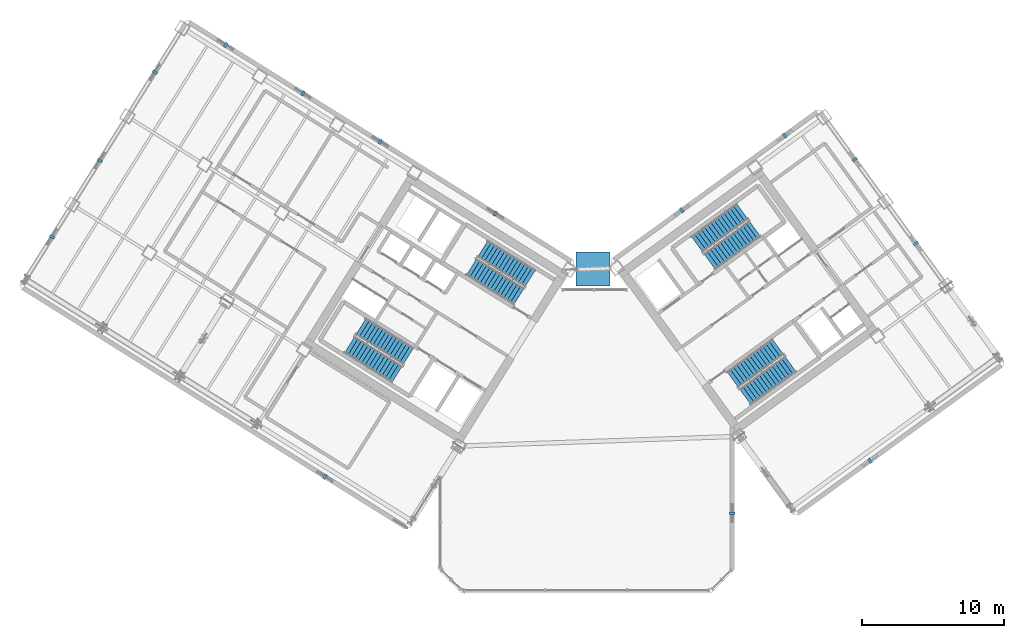
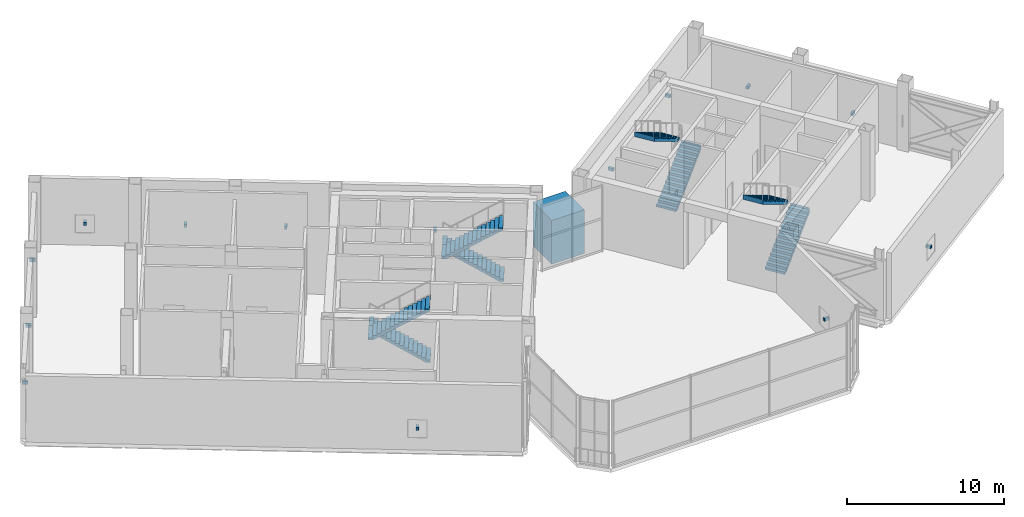
# One storey, part 24 of 30: 15 discrete accessories, 8 stair flights, 4 elements without a shape of their own.
"""IFC4 building model written with IfcOpenShell, lengths in metres."""

from ifc_helpers import new_model, si_unit, direction, frame, origin, origin_2d, place, context, subcontext, project, spatial, polyline, rectangle, outline, extrude, source, transform, mapped, material, type_object, element, aggregate, save


model = new_model("IFC4")

# Units and contexts
model_context = context("Model", 3, precision=1e-05, world=origin(), true_north=direction((0.0, 1.0)))
body_context = subcontext(model_context, "Body", "Model", "MODEL_VIEW")
ifc_project = project(units=[si_unit("LENGTHUNIT", "METRE"), si_unit("AREAUNIT", "SQUARE_METRE"), si_unit("VOLUMEUNIT", "CUBIC_METRE"), si_unit("PLANEANGLEUNIT", "RADIAN"), si_unit("MASSUNIT", "GRAM", prefix="KILO")], contexts=[model_context])

# Site, building, storey
site_placement = place(None, origin())
site = spatial("IfcSite", under=ifc_project, at=site_placement, CompositionType="ELEMENT")
building_placement = place(site_placement, origin())
building = spatial("IfcBuilding", under=site, at=building_placement, Name="Tlacorven Tower", CompositionType="ELEMENT")
storey_placement = place(building_placement, frame((0.0, 0.0, 169.5)))
storey = spatial("IfcBuildingStorey", under=building, at=storey_placement, Name="L43", CompositionType="ELEMENT", Elevation=169.5)

# Stair, stair flights
ifc_material_1 = material(Name="Concrete C40/50", Category="concrete")
stair_type = type_object("IfcStairType", Name="ST-CORE-DLG", PredefinedType="HALF_TURN_STAIR", material=ifc_material_1)
stair_1_placement = place(storey_placement, origin())
stair_1 = element("IfcStair", 1, at=stair_1_placement, inside=storey, type_object=stair_type, Name="L43 Protected Exit Stair West 1", PredefinedType="HALF_TURN_STAIR")
stair_flight_type = type_object("IfcStairFlightType", Name="SFL-RC-1380", PredefinedType="STRAIGHT", material=ifc_material_1)
shared_shape_1 = source(origin(), body_context, "Body", "SweptSolid", [
    extrude(outline(polyline([(-0.0029296875, -0.0029296875), (-0.0029296875, 0.179931640625), (0.280029296875, 0.179931640625), (0.280029296875, 0.360107421875), (0.56005859375, 0.360107421875), (0.56005859375, 0.5400390625), (0.840087890625, 0.5400390625), (0.840087890625, 0.719970703125), (1.1201171875, 0.719970703125), (1.1201171875, 0.89990234375), (1.39990234375, 0.89990234375), (1.39990234375, 1.080078125), (1.679931640625, 1.080078125), (1.679931640625, 1.260009765625), (1.9599609375, 1.260009765625), (1.9599609375, 1.43994140625), (2.239990234375, 1.43994140625), (2.239990234375, 1.6201171875), (2.52001953125, 1.6201171875), (2.52001953125, 1.800048828125), (2.800048828125, 1.800048828125), (2.800048828125, 1.97998046875), (3.080078125, 1.97998046875), (3.080078125, 2.159912109375), (3.360107421875, 2.159912109375), (3.360107421875, 2.340087890625), (3.639892578125, 2.340087890625), (3.639892578125, 2.52001953125), (3.919921875, 2.52001953125), (3.919921875, 2.699951171875), (3.923095703125, 2.699951171875), (3.923095703125, 2.329833984375), (3.919921875, 2.329833984375), (0.295654296875, 0.0), (0.295654296875, -0.0029296875), (-0.0029296875, -0.0029296875)])), frame((0.0, 0.68994140625, 0.0), z_axis=(0.0, -1.0, 0.0), x_axis=(1.0, 0.0, 0.0)), (0.0, 0.0, 1.0), 1.3798828125),
])
stair_flight_1_placement = place(storey_placement, frame((29.499755859375, 18.39453125, 0.0), z_axis=(0.0, 0.0, 1.0), x_axis=(-0.848048096156, 0.529919264233, 0.0)))
stair_flight_1 = element("IfcStairFlight", 2, at=stair_flight_1_placement, type_object=stair_flight_type, Name="ST-W1 flight 1", NumberOfRisers=15, NumberOfTreads=14, PredefinedType="STRAIGHT", RiserHeight=0.18, TreadLength=0.28, context=body_context, shape_type="MappedRepresentation", body=[
    mapped(shared_shape_1, transform((0.0, 0.0, 0.0), scale=1.0)),
])
stair_flight_2_placement = place(storey_placement, frame((25.380615234375, 19.19970703125, 2.699951171875), z_axis=(0.0, 0.0, 1.0), x_axis=(0.848048096156, -0.529919264233, 0.0)))
stair_flight_2 = element("IfcStairFlight", 3, at=stair_flight_2_placement, type_object=stair_flight_type, Name="ST-W1 flight 2", NumberOfRisers=15, NumberOfTreads=14, PredefinedType="STRAIGHT", RiserHeight=0.18, TreadLength=0.28, context=body_context, shape_type="MappedRepresentation", body=[
    mapped(shared_shape_1, transform((0.0, 0.0, 0.0), scale=1.0)),
])
aggregate(stair_1, [stair_flight_1, stair_flight_2])

stair_2_placement = place(storey_placement, origin())
stair_2 = element("IfcStair", 4, at=stair_2_placement, inside=storey, type_object=stair_type, Name="L43 Protected Exit Stair West 2", PredefinedType="HALF_TURN_STAIR")
stair_flight_3_placement = place(storey_placement, frame((38.051513671875, 23.852294921875, 0.0), z_axis=(0.0, 0.0, 1.0), x_axis=(-0.848048096156, 0.529919264233, 0.0)))
stair_flight_3 = element("IfcStairFlight", 5, at=stair_flight_3_placement, type_object=stair_flight_type, Name="ST-W2 flight 1", NumberOfRisers=15, NumberOfTreads=14, PredefinedType="STRAIGHT", RiserHeight=0.18, TreadLength=0.28, context=body_context, shape_type="MappedRepresentation", body=[
    mapped(shared_shape_1, transform((0.0, 0.0, 0.0), scale=1.0)),
])
stair_flight_4_placement = place(storey_placement, frame((33.93212890625, 24.657470703125, 2.699951171875), z_axis=(0.0, 0.0, 1.0), x_axis=(0.848048096156, -0.529919264233, 0.0)))
stair_flight_4 = element("IfcStairFlight", 6, at=stair_flight_4_placement, type_object=stair_flight_type, Name="ST-W2 flight 2", NumberOfRisers=15, NumberOfTreads=14, PredefinedType="STRAIGHT", RiserHeight=0.18, TreadLength=0.28, context=body_context, shape_type="MappedRepresentation", body=[
    mapped(shared_shape_1, transform((0.0, 0.0, 0.0), scale=1.0)),
])
aggregate(stair_2, [stair_flight_3, stair_flight_4])

stair_3_placement = place(storey_placement, origin())
stair_3 = element("IfcStair", 7, at=stair_3_placement, inside=storey, type_object=stair_type, Name="L43 Protected Exit Stair East 1", PredefinedType="HALF_TURN_STAIR")
stair_flight_5_placement = place(storey_placement, frame((50.6533203125, 25.0400390625, 0.0), z_axis=(0.0, 0.0, 1.0), x_axis=(0.809016994375, 0.587785252292, 0.0)))
stair_flight_5 = element("IfcStairFlight", 8, at=stair_flight_5_placement, type_object=stair_flight_type, Name="ST-E1 flight 1", NumberOfRisers=15, NumberOfTreads=14, PredefinedType="STRAIGHT", RiserHeight=0.18, TreadLength=0.28, context=body_context, shape_type="MappedRepresentation", body=[
    mapped(shared_shape_1, transform((0.0, 0.0, 0.0), scale=1.0)),
])
stair_flight_6_placement = place(storey_placement, frame((52.943115234375, 28.5576171875, 2.699951171875), z_axis=(0.0, 0.0, 1.0), x_axis=(-0.809016994375, -0.587785252292, 0.0)))
stair_flight_6 = element("IfcStairFlight", 9, at=stair_flight_6_placement, type_object=stair_flight_type, Name="ST-E1 flight 2", NumberOfRisers=15, NumberOfTreads=14, PredefinedType="STRAIGHT", RiserHeight=0.18, TreadLength=0.28, context=body_context, shape_type="MappedRepresentation", body=[
    mapped(shared_shape_1, transform((0.0, 0.0, 0.0), scale=1.0)),
])
aggregate(stair_3, [stair_flight_5, stair_flight_6])

stair_4_placement = place(storey_placement, origin())
stair_4 = element("IfcStair", 10, at=stair_4_placement, inside=storey, type_object=stair_type, Name="L43 Protected Exit Stair East 2", PredefinedType="HALF_TURN_STAIR")
stair_flight_7_placement = place(storey_placement, frame((53.157470703125, 15.536865234375, 0.0), z_axis=(0.0, 0.0, 1.0), x_axis=(0.809016994375, 0.587785252292, 0.0)))
stair_flight_7 = element("IfcStairFlight", 11, at=stair_flight_7_placement, type_object=stair_flight_type, Name="ST-E2 flight 1", NumberOfRisers=15, NumberOfTreads=14, PredefinedType="STRAIGHT", RiserHeight=0.18, TreadLength=0.28, context=body_context, shape_type="MappedRepresentation", body=[
    mapped(shared_shape_1, transform((0.0, 0.0, 0.0), scale=1.0)),
])
stair_flight_8_placement = place(storey_placement, frame((55.447021484375, 19.054443359375, 2.699951171875), z_axis=(0.0, 0.0, 1.0), x_axis=(-0.809016994375, -0.587785252292, 0.0)))
stair_flight_8 = element("IfcStairFlight", 12, at=stair_flight_8_placement, type_object=stair_flight_type, Name="ST-E2 flight 2", NumberOfRisers=15, NumberOfTreads=14, PredefinedType="STRAIGHT", RiserHeight=0.18, TreadLength=0.28, context=body_context, shape_type="MappedRepresentation", body=[
    mapped(shared_shape_1, transform((0.0, 0.0, 0.0), scale=1.0)),
])
aggregate(stair_4, [stair_flight_7, stair_flight_8])

# Discrete accessories
ifc_material_2 = material(Name="Aluminium 6063-T6 anodised", Category="aluminium")
discrete_accessory_type_1 = type_object("IfcDiscreteAccessoryType", Name="ACC-TRB-01", PredefinedType="BRACKET", material=ifc_material_2)
shared_shape_2 = source(origin(), body_context, "Body", "SweptSolid", [
    extrude(rectangle(XDim=2.39990234375, YDim=2.39990234375, at=origin_2d()), origin(), (0.0, 0.0, 1.0), 3.39990234375),
])
discrete_accessory_placement = place(storey_placement, frame((42.453369140625, 24.526611328125, 0.050048828125), z_axis=(0.0, 0.0, 1.0), x_axis=(1.0, 0.0, 0.0)))
element("IfcDiscreteAccessory", 13, at=discrete_accessory_placement, inside=storey, type_object=discrete_accessory_type_1, Name="L43 Vertical-Axis Venturi Wind Turbine Rotor", PredefinedType="BRACKET", context=body_context, shape_type="MappedRepresentation", body=[
    mapped(shared_shape_2, transform((0.0, 0.0, 0.0), scale=1.0)),
])
ifc_material_3 = material(Name="Steel S355J2", Category="steel")
discrete_accessory_type_2 = type_object("IfcDiscreteAccessoryType", Name="ACC-BRK-01", PredefinedType="BRACKET", material=ifc_material_3)
shared_shape_3 = source(origin(), body_context, "Body", "SweptSolid", [
    extrude(rectangle(XDim=0.179931640625, YDim=0.360107421875, at=origin_2d()), origin(), (0.0, 0.0, 1.0), 0.219970703125),
])
for number, where, z_axis, x_axis, name in (
    (14, (23.643310546875, 9.94384765625, 1.5400390625), (0.0, 0.0, 1.0), (-0.84804812172, 0.529919223323, 0.0), "L43 Louvre Fixing Bracket 1.1"),
    (15, (4.490966796875, 26.775634765625, 1.5400390625), (0.0, 0.0, 1.0), (0.529918940959, 0.84804829816, 0.0), "L43 Louvre Fixing Bracket 2.1"),
    (16, (7.8427734375, 32.1396484375, 1.5400390625), (0.0, 0.0, 1.0), (0.529918940959, 0.84804829816, 0.0), "L43 Louvre Fixing Bracket 2.2"),
    (17, (11.711181640625, 38.330322265625, 1.5400390625), (0.0, 0.0, 1.0), (0.529918940959, 0.84804829816, 0.0), "L43 Louvre Fixing Bracket 2.3"),
    (18, (16.677001953125, 40.239013671875, 1.5400390625), (0.0, 0.0, 1.0), (0.84804812172, -0.529919223323, 0.0), "L43 Louvre Fixing Bracket 3.1"),
    (19, (22.1044921875, 36.847412109375, 1.5400390625), (0.0, 0.0, 1.0), (0.84804812172, -0.529919223323, 0.0), "L43 Louvre Fixing Bracket 3.2"),
    (20, (27.5322265625, 33.4560546875, 1.5400390625), (0.0, 0.0, 1.0), (0.84804812172, -0.529919223323, 0.0), "L43 Louvre Fixing Bracket 3.3"),
    (21, (35.60498046875, 28.411376953125, 1.5400390625), (0.0, 0.0, 1.0), (0.84804812172, -0.529919223323, 0.0), "L43 Louvre Fixing Bracket 3.4"),
    (22, (48.6904296875, 28.64453125, 1.5400390625), (0.0, 0.0, 1.0), (0.809017097486, 0.587785110372, 0.0), "L43 Louvre Fixing Bracket 4.1"),
    (23, (55.90625, 33.88720703125, 1.5400390625), (0.0, 0.0, 1.0), (0.809017097486, 0.587785110372, 0.0), "L43 Louvre Fixing Bracket 4.2"),
    (24, (60.83154296875, 32.21240234375, 1.5400390625), (0.0, 0.0, 1.0), (0.587785363163, -0.809016913823, 0.0), "L43 Louvre Fixing Bracket 5.1"),
    (25, (65.122314453125, 26.306396484375, 1.5400390625), (0.0, 0.0, 1.0), (0.587785363163, -0.809016913823, 0.0), "L43 Louvre Fixing Bracket 5.2"),
    (26, (61.909912109375, 11.0556640625, 1.5400390625), (0.0, 0.0, 1.0), (-0.809017097486, -0.587785110372, 0.0), "L43 Louvre Fixing Bracket 6.1"),
    (27, (52.239990234375, 7.374267578125, 1.5400390625), (0.0, 0.0, 1.0), (0.0, -1.0, 0.0), "L43 Louvre Fixing Bracket 8.1"),
):
    element("IfcDiscreteAccessory", number, at=place(storey_placement, frame(where, z_axis=z_axis, x_axis=x_axis)), inside=storey, type_object=discrete_accessory_type_2, Name=name, PredefinedType="BRACKET", context=body_context, shape_type="MappedRepresentation", body=[
        mapped(shared_shape_3, transform((0.0, 0.0, 0.0), scale=1.0)),
    ])

save(model, "model.ifc")
